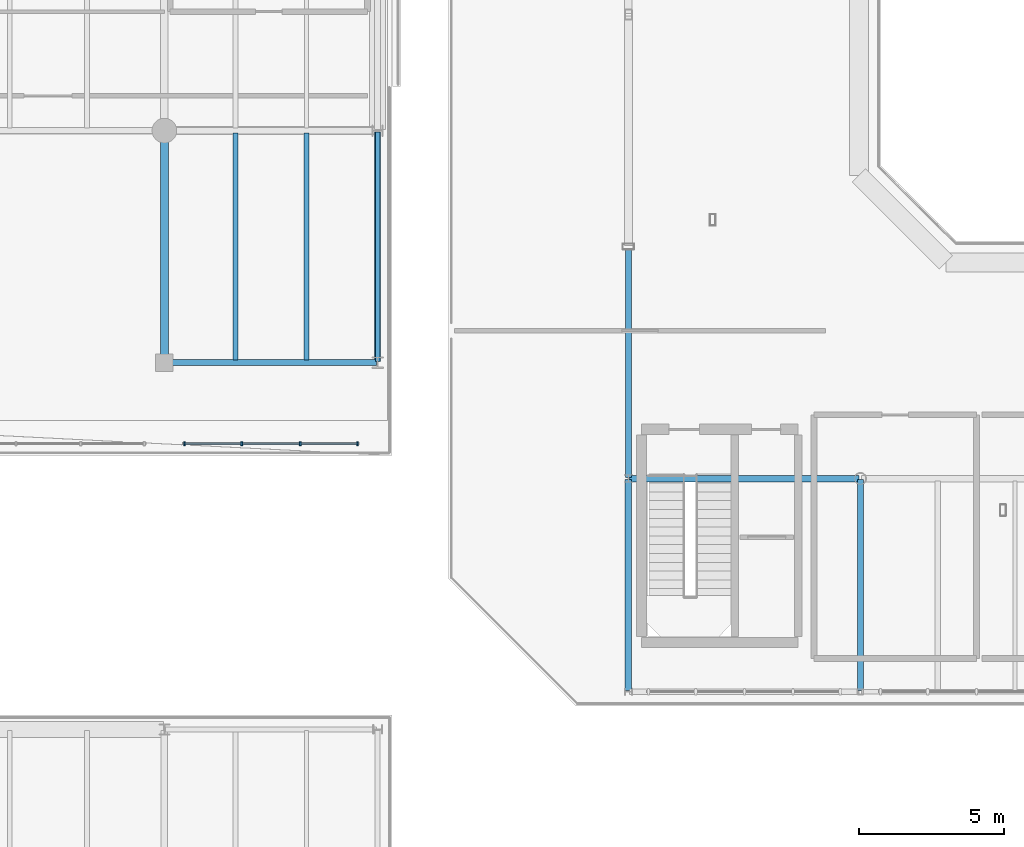
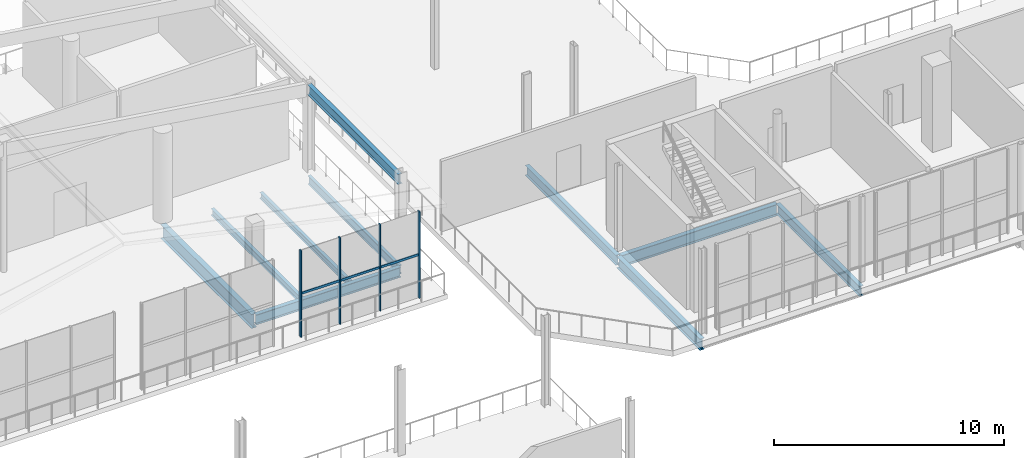
# One storey, part 26 of 70: 10 beams, 7 members, 1 element without a shape of its own.
"""IFC4 building model written with IfcOpenShell, lengths in metres."""

from ifc_helpers import new_model, si_unit, direction, frame, origin, origin_2d, place, context, subcontext, project, spatial, rectangle, i_section, extrude, material, material_profile, profile_set, type_object, element, aggregate, save


model = new_model("IFC4")

# Units and contexts
model_context = context("Model", 3, precision=1e-05, world=origin(), true_north=direction((0.0, 1.0)))
body_context = subcontext(model_context, "Body", "Model", "MODEL_VIEW")
ifc_project = project(units=[si_unit("LENGTHUNIT", "METRE"), si_unit("AREAUNIT", "SQUARE_METRE"), si_unit("VOLUMEUNIT", "CUBIC_METRE"), si_unit("PLANEANGLEUNIT", "RADIAN"), si_unit("MASSUNIT", "GRAM", prefix="KILO")], contexts=[model_context])

# Site, building, storey
site_placement = place(None, origin())
site = spatial("IfcSite", under=ifc_project, at=site_placement, CompositionType="ELEMENT")
building_placement = place(site_placement, origin())
building = spatial("IfcBuilding", under=site, at=building_placement, Name="Brisemont Oceanarium", CompositionType="ELEMENT")
storey_placement = place(building_placement, frame((0.0, 0.0, 10.199951171875)))
storey = spatial("IfcBuildingStorey", under=building, at=storey_placement, Name="L02", CompositionType="ELEMENT", Elevation=10.199951171875)

# Beams
ifc_material_1 = material(Name="Structural Steel ASTM A992 Gr.50", Category="steel")
ifc_material_profile_1 = material_profile(ifc_material_1, i_section(OverallWidth=0.1650390625, OverallDepth=0.31005859375, WebThickness=0.005859375, FlangeThickness=0.009765625, FilletRadius=0.008056640625, at=origin_2d()), Name="W12X26")
ifc_profile_set_1 = profile_set([ifc_material_profile_1], Name="Structural Steel ASTM A992 Gr.50")
beam_type_1 = type_object("IfcBeamType", Name="BM-W12X26", PredefinedType="JOIST", material=ifc_profile_set_1)
beam_1_placement = place(storey_placement, frame((52.89990234375, 44.090087890625, -0.4150390625), z_axis=(0.0, 1.0, 0.0), x_axis=(-1.0, 0.0, 0.0)))
element("IfcBeam", 1, at=beam_1_placement, inside=storey, type_object=beam_type_1, Name="V5W L02 secondary floor beam", PredefinedType="JOIST", context=body_context, shape_type="SweptSolid", body=[
    extrude(i_section(OverallWidth=0.1650390625, OverallDepth=0.31005859375, WebThickness=0.005859375, FlangeThickness=0.009765625, FilletRadius=0.008056640625, at=origin_2d()), origin(), (0.0, 0.0, 1.0), 7.81982421875),
])
ifc_material_2 = material(Name="Structural Steel ASTM A992 Gr.50", Category="steel")
ifc_material_profile_2 = material_profile(ifc_material_2, i_section(OverallWidth=0.1708984375, OverallDepth=0.35107421875, WebThickness=0.0068359375, FlangeThickness=0.009765625, FilletRadius=0.010009765625, at=origin_2d()), Name="W14X30")
ifc_profile_set_2 = profile_set([ifc_material_profile_2], Name="Structural Steel ASTM A992 Gr.50")
beam_type_2 = type_object("IfcBeamType", Name="BM-W14X30", PredefinedType="JOIST", material=ifc_profile_set_2)
beam_2_placement = place(storey_placement, frame((50.449951171875, 44.090087890625, -0.435546875), z_axis=(0.0, 1.0, 0.0), x_axis=(-1.0, 0.0, 0.0)))
element("IfcBeam", 2, at=beam_2_placement, inside=storey, type_object=beam_type_2, Name="V5W L02 secondary floor beam", PredefinedType="JOIST", context=body_context, shape_type="SweptSolid", body=[
    extrude(i_section(OverallWidth=0.1708984375, OverallDepth=0.35107421875, WebThickness=0.0068359375, FlangeThickness=0.009765625, FilletRadius=0.010009765625, at=origin_2d()), origin(), (0.0, 0.0, 1.0), 7.81982421875),
])
ifc_material_3 = material(Name="Structural Steel ASTM A992 Gr.50", Category="steel")
ifc_material_profile_3 = material_profile(ifc_material_3, i_section(OverallWidth=0.154052734375, OverallDepth=0.458984375, WebThickness=0.009033203125, FlangeThickness=0.015380859375, FilletRadius=0.010986328125, at=origin_2d()), Name="W18X46")
ifc_profile_set_3 = profile_set([ifc_material_profile_3], Name="Structural Steel ASTM A992 Gr.50")
beam_type_3 = type_object("IfcBeamType", Name="BM-W18X46", PredefinedType="SPANDREL", material=ifc_profile_set_3)
beam_3_placement = place(storey_placement, frame((55.35009765625, 44.0400390625, -0.489501953125), z_axis=(0.0, 1.0, 0.0), x_axis=(-1.0, 0.0, 0.0)))
element("IfcBeam", 3, at=beam_3_placement, inside=storey, type_object=beam_type_3, Name="V5W L02 NS girder", PredefinedType="SPANDREL", context=body_context, shape_type="SweptSolid", body=[
    extrude(i_section(OverallWidth=0.154052734375, OverallDepth=0.458984375, WebThickness=0.009033203125, FlangeThickness=0.015380859375, FilletRadius=0.010986328125, at=origin_2d()), origin(), (0.0, 0.0, 1.0), 7.919921875),
])
ifc_material_4 = material(Name="Structural Steel ASTM A992 Gr.50", Category="steel")
ifc_material_profile_4 = material_profile(ifc_material_4, i_section(OverallWidth=0.2099609375, OverallDepth=0.532958984375, WebThickness=0.01025390625, FlangeThickness=0.015625, FilletRadius=0.012939453125, at=origin_2d()), Name="W21X62")
ifc_profile_set_4 = profile_set([ifc_material_profile_4], Name="Structural Steel ASTM A992 Gr.50")
beam_type_4 = type_object("IfcBeamType", Name="BM-W21X62", PredefinedType="BEAM", material=ifc_profile_set_4)
beam_4_placement = place(storey_placement, frame((64.0, 40.0400390625, -0.56640625), z_axis=(0.0, 1.0, 0.0), x_axis=(-1.0, 0.0, 0.0)))
element("IfcBeam", 4, at=beam_4_placement, inside=storey, type_object=beam_type_4, Name="V1 L02 NS girder", PredefinedType="BEAM", context=body_context, shape_type="SweptSolid", body=[
    extrude(i_section(OverallWidth=0.2099609375, OverallDepth=0.532958984375, WebThickness=0.01025390625, FlangeThickness=0.015625, FilletRadius=0.012939453125, at=origin_2d()), origin(), (0.0, 0.0, 1.0), 7.919921875),
])
for number, where, z_axis, x_axis, name in (
    (5, (72.0, 32.68994140625, -0.56640625), (0.0, 1.0, 0.0), (-1.0, 0.0, 0.0), "V1 L02 NS girder"),
    (6, (48.0400390625, 44.0, -0.5263671875), (1.0, 0.0, 0.0), (0.0, 1.0, 0.0), "V5W L02 EW girder"),
):
    element("IfcBeam", number, at=place(storey_placement, frame(where, z_axis=z_axis, x_axis=x_axis)), inside=storey, type_object=beam_type_4, Name=name, PredefinedType="BEAM", context=body_context, shape_type="SweptSolid", body=[
        extrude(i_section(OverallWidth=0.2099609375, OverallDepth=0.532958984375, WebThickness=0.01025390625, FlangeThickness=0.015625, FilletRadius=0.012939453125, at=origin_2d()), origin(), (0.0, 0.0, 1.0), 7.27001953125),
    ])
beam_5_placement = place(storey_placement, frame((55.35009765625, 44.0400390625, 4.33349609375), z_axis=(0.0, 1.0, 0.0), x_axis=(-1.0, 0.0, 0.0)))
element("IfcBeam", 7, at=beam_5_placement, inside=storey, type_object=beam_type_4, Name="V5W NS roof eave girder", PredefinedType="BEAM", context=body_context, shape_type="SweptSolid", body=[
    extrude(i_section(OverallWidth=0.2099609375, OverallDepth=0.532958984375, WebThickness=0.01025390625, FlangeThickness=0.015625, FilletRadius=0.012939453125, at=origin_2d()), origin(), (0.0, 0.0, 1.0), 7.919921875),
])
ifc_material_5 = material(Name="Structural Steel ASTM A992 Gr.50", Category="steel")
ifc_material_profile_5 = material_profile(ifc_material_5, i_section(OverallWidth=0.22802734375, OverallDepth=0.60205078125, WebThickness=0.010498046875, FlangeThickness=0.014892578125, FilletRadius=0.012939453125, at=origin_2d()), Name="W24X68")
ifc_profile_set_5 = profile_set([ifc_material_profile_5], Name="Structural Steel ASTM A992 Gr.50")
beam_type_5 = type_object("IfcBeamType", Name="BM-W24X68", PredefinedType="BEAM", material=ifc_profile_set_5)
beam_6_placement = place(storey_placement, frame((64.0, 32.68994140625, -0.600830078125), z_axis=(0.0, 1.0, 0.0), x_axis=(-1.0, 0.0, 0.0)))
element("IfcBeam", 8, at=beam_6_placement, inside=storey, type_object=beam_type_5, Name="V1 L02 NS girder", PredefinedType="BEAM", context=body_context, shape_type="SweptSolid", body=[
    extrude(i_section(OverallWidth=0.22802734375, OverallDepth=0.60205078125, WebThickness=0.010498046875, FlangeThickness=0.014892578125, FilletRadius=0.012939453125, at=origin_2d()), origin(), (0.0, 0.0, 1.0), 7.27001953125),
])
ifc_material_6 = material(Name="Structural Steel ASTM A992 Gr.50", Category="steel")
ifc_material_profile_6 = material_profile(ifc_material_6, i_section(OverallWidth=0.22802734375, OverallDepth=0.60791015625, WebThickness=0.01123046875, FlangeThickness=0.017333984375, FilletRadius=0.012939453125, at=origin_2d()), Name="W24X76")
ifc_profile_set_6 = profile_set([ifc_material_profile_6], Name="Structural Steel ASTM A992 Gr.50")
beam_type_6 = type_object("IfcBeamType", Name="BM-W24X76", PredefinedType="BEAM", material=ifc_profile_set_6)
beam_7_placement = place(storey_placement, frame((64.0400390625, 40.0, -0.60400390625), z_axis=(1.0, 0.0, 0.0), x_axis=(0.0, 1.0, 0.0)))
element("IfcBeam", 9, at=beam_7_placement, inside=storey, type_object=beam_type_6, Name="V1 L02 EW girder", PredefinedType="BEAM", context=body_context, shape_type="SweptSolid", body=[
    extrude(i_section(OverallWidth=0.22802734375, OverallDepth=0.60791015625, WebThickness=0.01123046875, FlangeThickness=0.017333984375, FilletRadius=0.012939453125, at=origin_2d()), origin(), (0.0, 0.0, 1.0), 7.919921875),
])
ifc_material_7 = material(Name="Structural Steel ASTM A992 Gr.50", Category="steel")
ifc_material_profile_7 = material_profile(ifc_material_7, i_section(OverallWidth=0.264892578125, OverallDepth=0.7529296875, WebThickness=0.01318359375, FlangeThickness=0.01708984375, FilletRadius=0.01611328125, at=origin_2d()), Name="W30X99")
ifc_profile_set_7 = profile_set([ifc_material_profile_7], Name="Structural Steel ASTM A992 Gr.50")
beam_type_7 = type_object("IfcBeamType", Name="BM-W30X99", PredefinedType="BEAM", material=ifc_profile_set_7)
beam_8_placement = place(storey_placement, frame((48.0, 44.0400390625, -0.636474609375), z_axis=(0.0, 1.0, 0.0), x_axis=(-1.0, 0.0, 0.0)))
element("IfcBeam", 10, at=beam_8_placement, inside=storey, type_object=beam_type_7, Name="V5W L02 NS girder", PredefinedType="BEAM", context=body_context, shape_type="SweptSolid", body=[
    extrude(i_section(OverallWidth=0.264892578125, OverallDepth=0.7529296875, WebThickness=0.01318359375, FlangeThickness=0.01708984375, FilletRadius=0.01611328125, at=origin_2d()), origin(), (0.0, 0.0, 1.0), 7.919921875),
])

# Curtain wall, members
ifc_material_8 = material(Name="Anodized Extruded Aluminum 6063-T6", Category="aluminium")
curtain_wall_type = type_object("IfcCurtainWallType", Name="CW-GAL-54X42", PredefinedType="NOTDEFINED", material=ifc_material_8)
curtain_wall_placement = place(storey_placement, origin())
curtain_wall = element("IfcCurtainWall", 11, at=curtain_wall_placement, inside=storey, type_object=curtain_wall_type, Name="CW-14 curtain wall CW-V5W-S-L02-04", PredefinedType="NOTDEFINED")
ifc_material_9 = material(Name="Anodized Extruded Aluminum 6063-T6", Category="aluminium")
ifc_material_profile_8 = material_profile(ifc_material_9, rectangle(XDim=0.06005859375, YDim=0.14990234375, at=origin_2d()), Name="CWM-60X150")
ifc_profile_set_8 = profile_set([ifc_material_profile_8], Name="Anodized Extruded Aluminum 6063-T6")
member_type_1 = type_object("IfcMemberType", Name="MEM-CWM-60", PredefinedType="MULLION", material=ifc_profile_set_8)
member_1_placement = place(storey_placement, frame((48.695068359375, 41.199951171875, 0.0), z_axis=(0.0, 0.0, 1.0), x_axis=(1.0, 0.0, 0.0)))
member_1 = element("IfcMember", 12, at=member_1_placement, type_object=member_type_1, Name="CW-V5W-S-L02-04 mullion 1", PredefinedType="MULLION", context=body_context, shape_type="SweptSolid", body=[
    extrude(rectangle(XDim=0.06005859375, YDim=0.14990234375, at=origin_2d()), origin(), (0.0, 0.0, 1.0), 4.60009765625),
])
member_2_placement = place(storey_placement, frame((50.666748046875, 41.199951171875, 0.0), z_axis=(0.0, 0.0, 1.0), x_axis=(1.0, 0.0, 0.0)))
member_2 = element("IfcMember", 13, at=member_2_placement, type_object=member_type_1, Name="CW-V5W-S-L02-04 mullion 2", PredefinedType="MULLION", context=body_context, shape_type="SweptSolid", body=[
    extrude(rectangle(XDim=0.06005859375, YDim=0.14990234375, at=origin_2d()), origin(), (0.0, 0.0, 1.0), 4.60009765625),
])
member_3_placement = place(storey_placement, frame((52.683349609375, 41.199951171875, 0.0), z_axis=(0.0, 0.0, 1.0), x_axis=(1.0, 0.0, 0.0)))
member_3 = element("IfcMember", 14, at=member_3_placement, type_object=member_type_1, Name="CW-V5W-S-L02-04 mullion 3", PredefinedType="MULLION", context=body_context, shape_type="SweptSolid", body=[
    extrude(rectangle(XDim=0.06005859375, YDim=0.14990234375, at=origin_2d()), origin(), (0.0, 0.0, 1.0), 4.60009765625),
])
member_4_placement = place(storey_placement, frame((54.655029296875, 41.199951171875, 0.0), z_axis=(0.0, 0.0, 1.0), x_axis=(1.0, 0.0, 0.0)))
member_4 = element("IfcMember", 15, at=member_4_placement, type_object=member_type_1, Name="CW-V5W-S-L02-04 mullion 4", PredefinedType="MULLION", context=body_context, shape_type="SweptSolid", body=[
    extrude(rectangle(XDim=0.06005859375, YDim=0.14990234375, at=origin_2d()), origin(), (0.0, 0.0, 1.0), 4.60009765625),
])
ifc_material_10 = material(Name="Anodized Extruded Aluminum 6063-T6", Category="aluminium")
ifc_material_profile_9 = material_profile(ifc_material_10, rectangle(XDim=0.06005859375, YDim=0.1201171875, at=origin_2d()), Name="CWT-60X120")
ifc_profile_set_9 = profile_set([ifc_material_profile_9], Name="Anodized Extruded Aluminum 6063-T6")
member_type_2 = type_object("IfcMemberType", Name="MEM-CWT-60", PredefinedType="USERDEFINED", material=ifc_profile_set_9)
member_5_placement = place(storey_placement, frame((48.6650390625, 41.199951171875, 2.300048828125), z_axis=(1.0, 0.0, 0.0), x_axis=(0.0, 1.0, 0.0)))
member_5 = element("IfcMember", 16, at=member_5_placement, type_object=member_type_2, Name="CW-V5W-S-L02-04 transom 1.1", ObjectType="TRANSOM", PredefinedType="USERDEFINED", context=body_context, shape_type="SweptSolid", body=[
    extrude(rectangle(XDim=0.06005859375, YDim=0.1201171875, at=origin_2d()), origin(), (0.0, 0.0, 1.0), 1.986572265625),
])
member_6_placement = place(storey_placement, frame((50.681640625, 41.199951171875, 2.300048828125), z_axis=(1.0, 0.0, 0.0), x_axis=(0.0, 1.0, 0.0)))
member_6 = element("IfcMember", 17, at=member_6_placement, type_object=member_type_2, Name="CW-V5W-S-L02-04 transom 2.1", ObjectType="TRANSOM", PredefinedType="USERDEFINED", context=body_context, shape_type="SweptSolid", body=[
    extrude(rectangle(XDim=0.06005859375, YDim=0.1201171875, at=origin_2d()), origin(), (0.0, 0.0, 1.0), 1.986572265625),
])
member_7_placement = place(storey_placement, frame((52.6982421875, 41.199951171875, 2.300048828125), z_axis=(1.0, 0.0, 0.0), x_axis=(0.0, 1.0, 0.0)))
member_7 = element("IfcMember", 18, at=member_7_placement, type_object=member_type_2, Name="CW-V5W-S-L02-04 transom 3.1", ObjectType="TRANSOM", PredefinedType="USERDEFINED", context=body_context, shape_type="SweptSolid", body=[
    extrude(rectangle(XDim=0.06005859375, YDim=0.1201171875, at=origin_2d()), origin(), (0.0, 0.0, 1.0), 1.98681640625),
])
aggregate(curtain_wall, [member_1, member_2, member_3, member_4, member_5, member_6, member_7])

save(model, "model.ifc")
